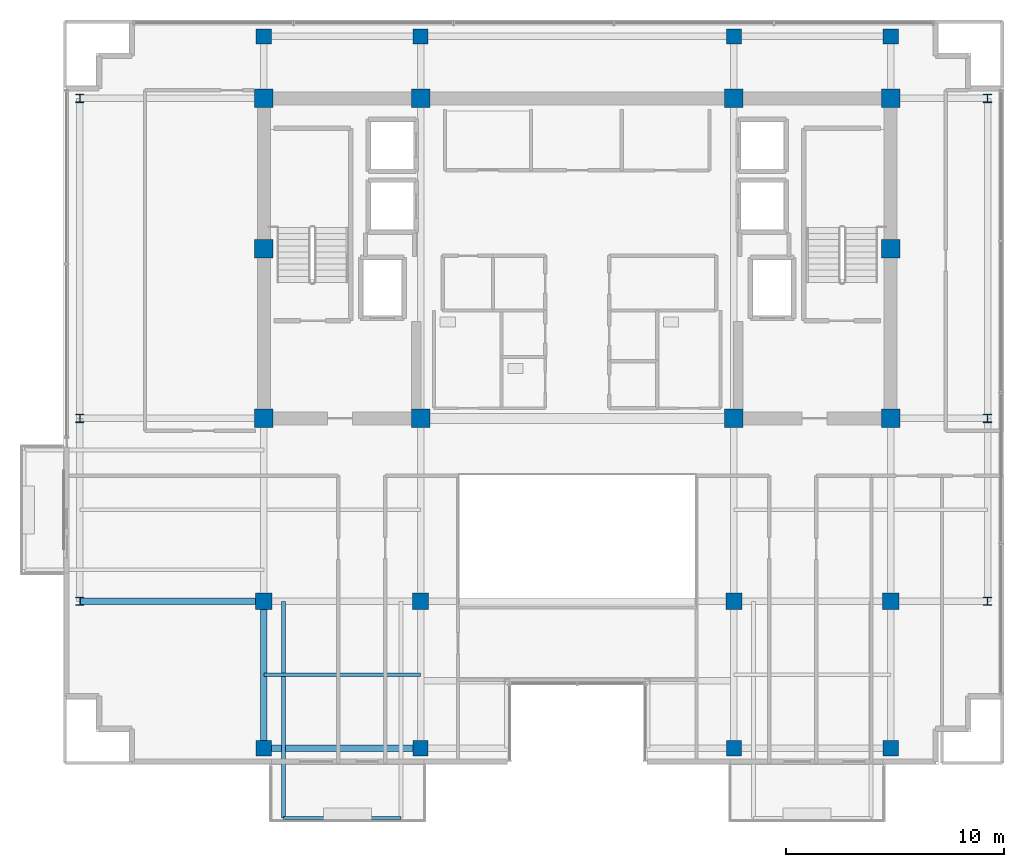
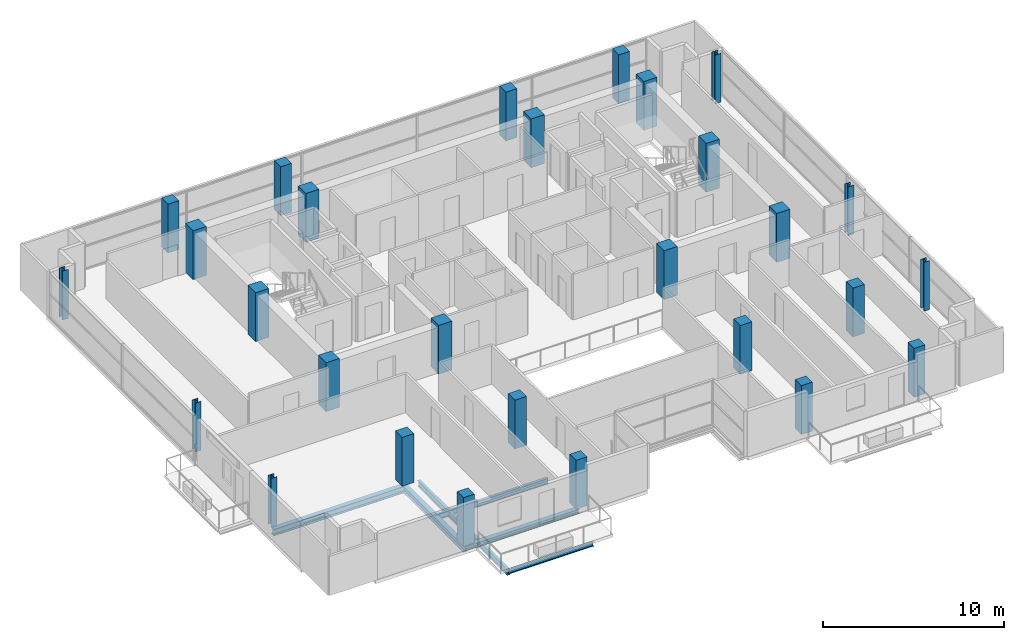
# One storey, part 1 of 22: 28 columns, 6 beams.
"""IFC4 building model written with IfcOpenShell, lengths in metres."""

from ifc_helpers import new_model, si_unit, direction, frame, origin, origin_2d, place, context, subcontext, project, spatial, rectangle, i_section, extrude, material, material_profile, profile_set, type_object, element, save


model = new_model("IFC4")

# Units and contexts
model_context = context("Model", 3, precision=1e-05, world=origin(), true_north=direction((0.0, 1.0)))
body_context = subcontext(model_context, "Body", "Model", "MODEL_VIEW")
ifc_project = project(units=[si_unit("LENGTHUNIT", "METRE"), si_unit("AREAUNIT", "SQUARE_METRE"), si_unit("VOLUMEUNIT", "CUBIC_METRE"), si_unit("PLANEANGLEUNIT", "RADIAN"), si_unit("MASSUNIT", "GRAM", prefix="KILO")], contexts=[model_context])

# Site, building, storey
site_placement = place(None, origin())
site = spatial("IfcSite", under=ifc_project, at=site_placement, CompositionType="ELEMENT")
building_placement = place(site_placement, origin())
building = spatial("IfcBuilding", under=site, at=building_placement, Name="Zarnakvel Exchange Tower", CompositionType="ELEMENT")
storey_placement = place(building_placement, frame((0.0, 0.0, 222.10009765625)))
storey = spatial("IfcBuildingStorey", under=building, at=storey_placement, Name="L62", CompositionType="ELEMENT", Elevation=222.10009765625)

# Columns
ifc_material_1 = material(Name="Concrete C50/60", Category="concrete")
ifc_material_profile_1 = material_profile(ifc_material_1, rectangle(XDim=0.85009765625, YDim=0.85009765625, at=origin_2d()))
ifc_profile_set_1 = profile_set([ifc_material_profile_1], Name="Concrete C50/60")
column_type_1 = type_object("IfcColumnType", Name="CC-03", PredefinedType="COLUMN", material=ifc_profile_set_1)
for number, where, z_axis, x_axis, name in (
    (1, (-14.39990234375, -1.199951171875, 0.0), (0.0, 0.0, 1.0), (1.0, 0.0, 0.0), "L62 Column C-4D (CC-03)"),
    (2, (-7.199951171875, -1.199951171875, 0.0), (0.0, 0.0, 1.0), (1.0, 0.0, 0.0), "L62 Column C-5D (CC-03)"),
    (3, (7.199951171875, -1.199951171875, 0.0), (0.0, 0.0, 1.0), (1.0, 0.0, 0.0), "L62 Column C-8D (CC-03)"),
    (4, (14.39990234375, -1.199951171875, 0.0), (0.0, 0.0, 1.0), (1.0, 0.0, 0.0), "L62 Column C-9D (CC-03)"),
    (5, (-14.39990234375, 6.60009765625, 0.0), (0.0, 0.0, 1.0), (1.0, 0.0, 0.0), "L62 Column C-4E (CC-03)"),
    (6, (14.39990234375, 6.60009765625, 0.0), (0.0, 0.0, 1.0), (1.0, 0.0, 0.0), "L62 Column C-9E (CC-03)"),
    (7, (-14.39990234375, 13.5, 0.0), (0.0, 0.0, 1.0), (1.0, 0.0, 0.0), "L62 Column C-4F (CC-03)"),
    (8, (-7.199951171875, 13.5, 0.0), (0.0, 0.0, 1.0), (1.0, 0.0, 0.0), "L62 Column C-5F (CC-03)"),
    (9, (7.199951171875, 13.5, 0.0), (0.0, 0.0, 1.0), (1.0, 0.0, 0.0), "L62 Column C-8F (CC-03)"),
    (10, (14.39990234375, 13.5, 0.0), (0.0, 0.0, 1.0), (1.0, 0.0, 0.0), "L62 Column C-9F (CC-03)"),
):
    element("IfcColumn", number, at=place(storey_placement, frame(where, z_axis=z_axis, x_axis=x_axis)), inside=storey, type_object=column_type_1, Name=name, PredefinedType="COLUMN", context=body_context, shape_type="SweptSolid", body=[
        extrude(rectangle(XDim=0.85009765625, YDim=0.85009765625, at=origin_2d()), origin(), (0.0, 0.0, 1.0), 3.2998046875),
    ])
ifc_material_2 = material(Name="Steel S355", Category="steel")
ifc_material_profile_2 = material_profile(ifc_material_2, i_section(OverallWidth=0.374755859375, OverallDepth=0.37451171875, WebThickness=0.0166015625, FlangeThickness=0.027099609375, FilletRadius=0.01513671875, at=origin_2d()))
ifc_profile_set_2 = profile_set([ifc_material_profile_2], Name="Steel S355")
column_type_2 = type_object("IfcColumnType", Name="SC-05", PredefinedType="COLUMN", material=ifc_profile_set_2)
for number, where, z_axis, x_axis, name in (
    (11, (-22.85009765625, -9.60009765625, 0.0), (0.0, 0.0, 1.0), (1.0, 0.0, 0.0), "L62 Column TW-C (SC-05)"),
    (12, (18.85009765625, -9.60009765625, 0.0), (0.0, 0.0, 1.0), (1.0, 0.0, 0.0), "L62 Column TE-C (SC-05)"),
    (13, (-22.85009765625, -1.199951171875, 0.0), (0.0, 0.0, 1.0), (1.0, 0.0, 0.0), "L62 Column TW-D (SC-05)"),
    (14, (18.85009765625, -1.199951171875, 0.0), (0.0, 0.0, 1.0), (1.0, 0.0, 0.0), "L62 Column TE-D (SC-05)"),
    (15, (-22.85009765625, 13.5, 0.0), (0.0, 0.0, 1.0), (1.0, 0.0, 0.0), "L62 Column TW-F (SC-05)"),
    (16, (18.85009765625, 13.5, 0.0), (0.0, 0.0, 1.0), (1.0, 0.0, 0.0), "L62 Column TE-F (SC-05)"),
):
    element("IfcColumn", number, at=place(storey_placement, frame(where, z_axis=z_axis, x_axis=x_axis)), inside=storey, type_object=column_type_2, Name=name, PredefinedType="COLUMN", context=body_context, shape_type="SweptSolid", body=[
        extrude(i_section(OverallWidth=0.374755859375, OverallDepth=0.37451171875, WebThickness=0.0166015625, FlangeThickness=0.027099609375, FilletRadius=0.01513671875, at=origin_2d()), origin(), (0.0, 0.0, 1.0), 3.2998046875),
    ])
ifc_material_profile_3 = material_profile(ifc_material_1, rectangle(XDim=0.75, YDim=0.75, at=origin_2d()))
ifc_profile_set_3 = profile_set([ifc_material_profile_3], Name="Concrete C50/60")
column_type_3 = type_object("IfcColumnType", Name="TC-04", PredefinedType="COLUMN", material=ifc_profile_set_3)
for number, where, z_axis, x_axis, name in (
    (17, (-14.39990234375, -9.60009765625, 0.0), (0.0, 0.0, 1.0), (1.0, 0.0, 0.0), "L62 Column T-4C (TC-04)"),
    (18, (-7.199951171875, -9.60009765625, 0.0), (0.0, 0.0, 1.0), (1.0, 0.0, 0.0), "L62 Column T-5C (TC-04)"),
    (19, (7.199951171875, -9.60009765625, 0.0), (0.0, 0.0, 1.0), (1.0, 0.0, 0.0), "L62 Column T-8C (TC-04)"),
    (20, (14.39990234375, -9.60009765625, 0.0), (0.0, 0.0, 1.0), (1.0, 0.0, 0.0), "L62 Column T-9C (TC-04)"),
):
    element("IfcColumn", number, at=place(storey_placement, frame(where, z_axis=z_axis, x_axis=x_axis)), inside=storey, type_object=column_type_3, Name=name, PredefinedType="COLUMN", context=body_context, shape_type="SweptSolid", body=[
        extrude(rectangle(XDim=0.75, YDim=0.75, at=origin_2d()), origin(), (0.0, 0.0, 1.0), 3.2998046875),
    ])
ifc_material_profile_4 = material_profile(ifc_material_1, rectangle(XDim=0.699951171875, YDim=0.699951171875, at=origin_2d()))
ifc_profile_set_4 = profile_set([ifc_material_profile_4], Name="Concrete C50/60")
column_type_4 = type_object("IfcColumnType", Name="TC-05", PredefinedType="COLUMN", material=ifc_profile_set_4)
for number, where, z_axis, x_axis, name in (
    (21, (-14.39990234375, -16.35009765625, 0.0), (0.0, 0.0, 1.0), (1.0, 0.0, 0.0), "L62 Column TS-4 (TC-05)"),
    (22, (-14.39990234375, 16.35009765625, 0.0), (0.0, 0.0, 1.0), (1.0, 0.0, 0.0), "L62 Column TN-4 (TC-05)"),
    (23, (-7.199951171875, -16.35009765625, 0.0), (0.0, 0.0, 1.0), (1.0, 0.0, 0.0), "L62 Column TS-5 (TC-05)"),
    (24, (-7.199951171875, 16.35009765625, 0.0), (0.0, 0.0, 1.0), (1.0, 0.0, 0.0), "L62 Column TN-5 (TC-05)"),
    (25, (7.199951171875, -16.35009765625, 0.0), (0.0, 0.0, 1.0), (1.0, 0.0, 0.0), "L62 Column TS-8 (TC-05)"),
    (26, (7.199951171875, 16.35009765625, 0.0), (0.0, 0.0, 1.0), (1.0, 0.0, 0.0), "L62 Column TN-8 (TC-05)"),
    (27, (14.39990234375, -16.35009765625, 0.0), (0.0, 0.0, 1.0), (1.0, 0.0, 0.0), "L62 Column TS-9 (TC-05)"),
    (28, (14.39990234375, 16.35009765625, 0.0), (0.0, 0.0, 1.0), (1.0, 0.0, 0.0), "L62 Column TN-9 (TC-05)"),
):
    element("IfcColumn", number, at=place(storey_placement, frame(where, z_axis=z_axis, x_axis=x_axis)), inside=storey, type_object=column_type_4, Name=name, PredefinedType="COLUMN", context=body_context, shape_type="SweptSolid", body=[
        extrude(rectangle(XDim=0.699951171875, YDim=0.699951171875, at=origin_2d()), origin(), (0.0, 0.0, 1.0), 3.2998046875),
    ])

# Beams
ifc_material_profile_5 = material_profile(ifc_material_2, i_section(OverallWidth=0.179931640625, OverallDepth=0.39990234375, WebThickness=0.008544921875, FlangeThickness=0.013427734375, FilletRadius=0.02099609375, at=origin_2d()))
ifc_profile_set_5 = profile_set([ifc_material_profile_5], Name="Steel S355")
beam_type_1 = type_object("IfcBeamType", Name="B-06", PredefinedType="JOIST", material=ifc_profile_set_5)
beam_1_placement = place(storey_placement, frame((-13.5, -9.60009765625, -0.425048828125), z_axis=(0.0, -1.0, 0.0), x_axis=(1.0, 0.0, 0.0)))
element("IfcBeam", 29, at=beam_1_placement, inside=storey, type_object=beam_type_1, Name="L62 Continuous Back-Spanned Balcony Beam W", PredefinedType="JOIST", context=body_context, shape_type="SweptSolid", body=[
    extrude(i_section(OverallWidth=0.179931640625, OverallDepth=0.39990234375, WebThickness=0.008544921875, FlangeThickness=0.013427734375, FilletRadius=0.02099609375, at=origin_2d()), origin(), (0.0, 0.0, 1.0), 9.949951171875),
])
ifc_material_profile_6 = material_profile(ifc_material_2, i_section(OverallWidth=0.169921875, OverallDepth=0.360107421875, WebThickness=0.008056640625, FlangeThickness=0.0126953125, FilletRadius=0.01806640625, at=origin_2d()))
ifc_profile_set_6 = profile_set([ifc_material_profile_6], Name="Steel S355")
beam_type_2 = type_object("IfcBeamType", Name="B-07", PredefinedType="JOIST", material=ifc_profile_set_6)
beam_2_placement = place(storey_placement, frame((-14.39990234375, -12.97509765625, -0.405029296875), z_axis=(1.0, 0.0, 0.0), x_axis=(0.0, 1.0, 0.0)))
element("IfcBeam", 30, at=beam_2_placement, inside=storey, type_object=beam_type_2, Name="L62 Composite Floor Secondary Joist", PredefinedType="JOIST", context=body_context, shape_type="SweptSolid", body=[
    extrude(i_section(OverallWidth=0.169921875, OverallDepth=0.360107421875, WebThickness=0.008056640625, FlangeThickness=0.0126953125, FilletRadius=0.01806640625, at=origin_2d()), origin(), (0.0, 0.0, 1.0), 7.199951171875),
])
ifc_material_profile_7 = material_profile(ifc_material_2, i_section(OverallWidth=0.14990234375, OverallDepth=0.300048828125, WebThickness=0.007080078125, FlangeThickness=0.0107421875, FilletRadius=0.014892578125, at=origin_2d()))
ifc_profile_set_7 = profile_set([ifc_material_profile_7], Name="Steel S355")
beam_type_3 = type_object("IfcBeamType", Name="B-08", PredefinedType="JOIST", material=ifc_profile_set_7)
beam_3_placement = place(storey_placement, frame((-13.5, -19.550048828125, -0.375), z_axis=(1.0, 0.0, 0.0), x_axis=(0.0, 1.0, 0.0)))
element("IfcBeam", 31, at=beam_3_placement, inside=storey, type_object=beam_type_3, Name="L62 Balcony Edge Beam", PredefinedType="JOIST", context=body_context, shape_type="SweptSolid", body=[
    extrude(i_section(OverallWidth=0.14990234375, OverallDepth=0.300048828125, WebThickness=0.007080078125, FlangeThickness=0.0107421875, FilletRadius=0.014892578125, at=origin_2d()), origin(), (0.0, 0.0, 1.0), 5.39990234375),
])
ifc_material_profile_8 = material_profile(ifc_material_2, i_section(OverallWidth=0.300048828125, OverallDepth=0.449951171875, WebThickness=0.013916015625, FlangeThickness=0.02587890625, FilletRadius=0.027099609375, at=origin_2d()))
ifc_profile_set_8 = profile_set([ifc_material_profile_8], Name="Steel S355")
beam_type_4 = type_object("IfcBeamType", Name="G-07", PredefinedType="BEAM", material=ifc_profile_set_8)
beam_4_placement = place(storey_placement, frame((-22.85009765625, -9.60009765625, -0.4501953125), z_axis=(1.0, 0.0, 0.0), x_axis=(0.0, 1.0, 0.0)))
element("IfcBeam", 32, at=beam_4_placement, inside=storey, type_object=beam_type_4, Name="L62 Tower E-W Frame Beam", PredefinedType="BEAM", context=body_context, shape_type="SweptSolid", body=[
    extrude(i_section(OverallWidth=0.300048828125, OverallDepth=0.449951171875, WebThickness=0.013916015625, FlangeThickness=0.02587890625, FilletRadius=0.027099609375, at=origin_2d()), origin(), (0.0, 0.0, 1.0), 8.4501953125),
])
beam_5_placement = place(storey_placement, frame((-14.39990234375, -16.35009765625, -0.4501953125), z_axis=(0.0, 1.0, 0.0), x_axis=(-1.0, 0.0, 0.0)))
element("IfcBeam", 33, at=beam_5_placement, inside=storey, type_object=beam_type_4, Name="L62 Tower N-S Frame Beam", PredefinedType="BEAM", context=body_context, shape_type="SweptSolid", body=[
    extrude(i_section(OverallWidth=0.300048828125, OverallDepth=0.449951171875, WebThickness=0.013916015625, FlangeThickness=0.02587890625, FilletRadius=0.027099609375, at=origin_2d()), origin(), (0.0, 0.0, 1.0), 6.75),
])
ifc_material_profile_9 = material_profile(ifc_material_2, i_section(OverallWidth=0.300048828125, OverallDepth=0.300048828125, WebThickness=0.010986328125, FlangeThickness=0.01904296875, FilletRadius=0.027099609375, at=origin_2d()))
ifc_profile_set_9 = profile_set([ifc_material_profile_9], Name="Steel S355")
beam_type_5 = type_object("IfcBeamType", Name="SP-03", PredefinedType="SPANDREL", material=ifc_profile_set_9)
beam_6_placement = place(storey_placement, frame((-14.39990234375, -16.35009765625, -0.375), z_axis=(1.0, 0.0, 0.0), x_axis=(0.0, 1.0, 0.0)))
element("IfcBeam", 34, at=beam_6_placement, inside=storey, type_object=beam_type_5, Name="L62 Tower E-W Frame Beam", PredefinedType="SPANDREL", context=body_context, shape_type="SweptSolid", body=[
    extrude(i_section(OverallWidth=0.300048828125, OverallDepth=0.300048828125, WebThickness=0.010986328125, FlangeThickness=0.01904296875, FilletRadius=0.027099609375, at=origin_2d()), origin(), (0.0, 0.0, 1.0), 7.199951171875),
])

save(model, "model.ifc")
